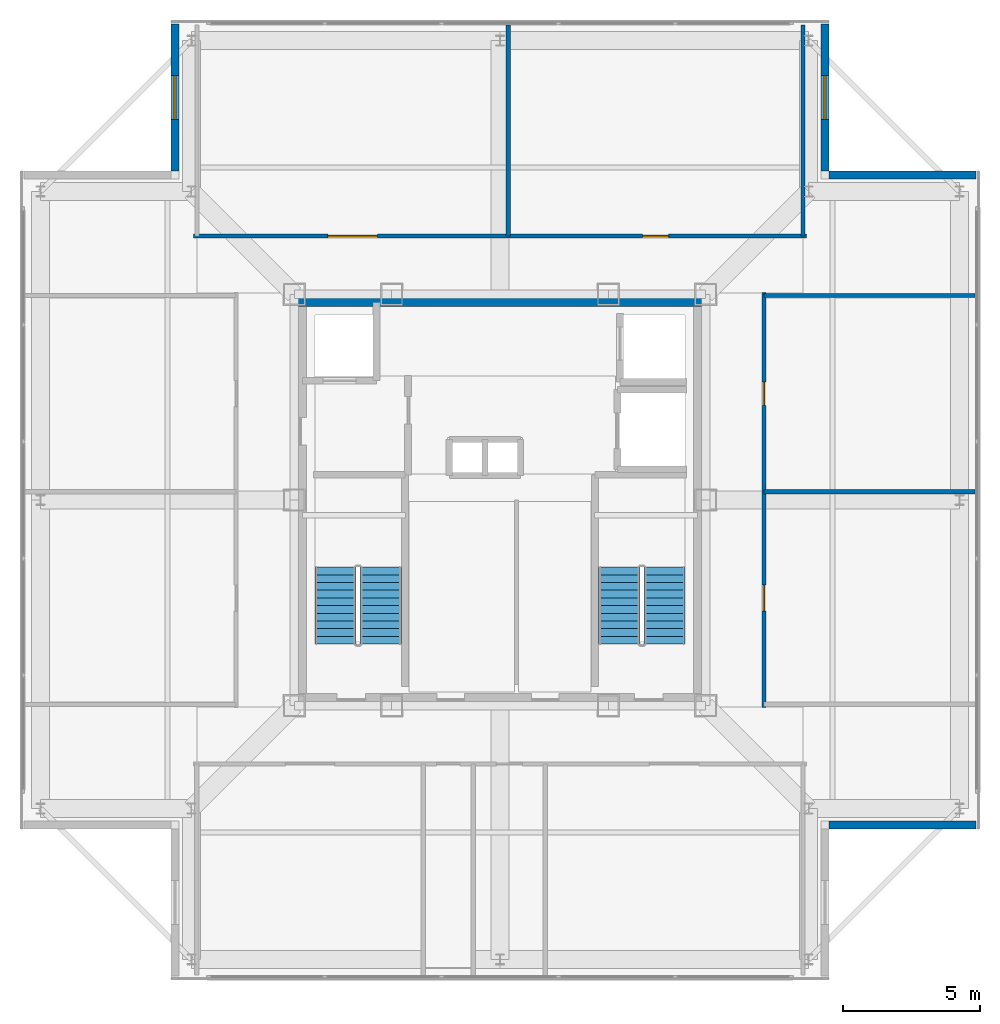
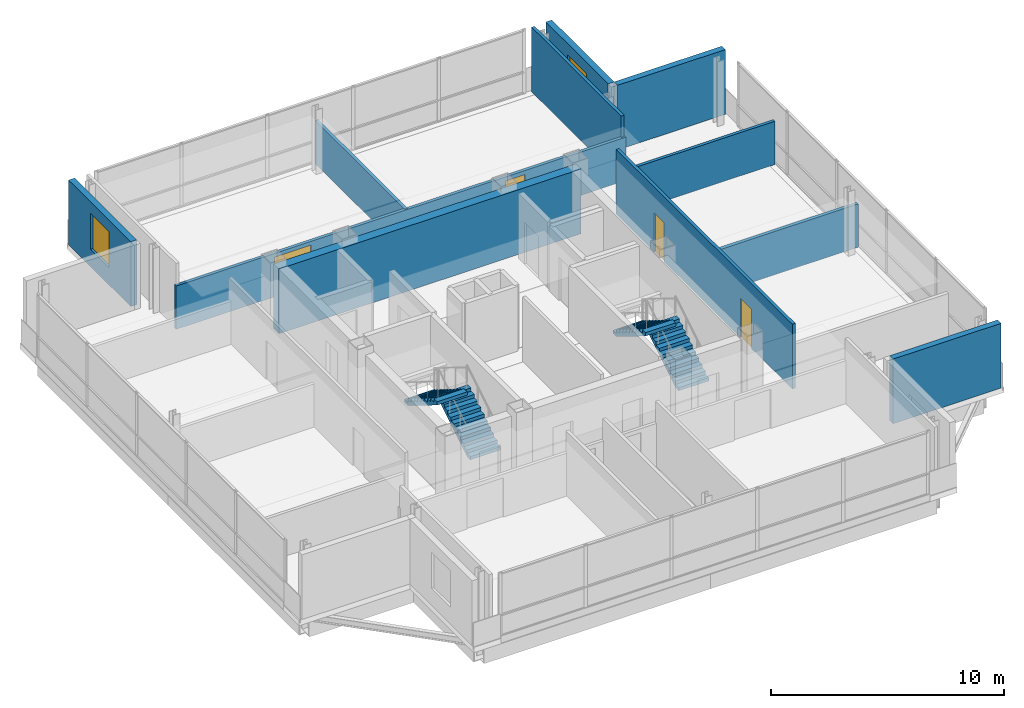
# One storey, part 10 of 12: 11 walls, 4 doors, 4 stair flights, 2 windows, 6 openings, 2 elements without a shape of their own.
"""IFC4 building model written with IfcOpenShell, lengths in metres."""

from ifc_helpers import new_model, si_unit, direction, frame, frame_2d, origin, place, context, subcontext, project, spatial, polyline, rectangle, outline, extrude, material, layer, layer_set, type_object, element, fill, aggregate, save


model = new_model("IFC4")

# Units and contexts
model_context = context("Model", 3, precision=1e-05, world=origin(), true_north=direction((0.0, 1.0)))
body_context = subcontext(model_context, "Body", "Model", "MODEL_VIEW")
ifc_project = project(units=[si_unit("LENGTHUNIT", "METRE"), si_unit("AREAUNIT", "SQUARE_METRE"), si_unit("VOLUMEUNIT", "CUBIC_METRE"), si_unit("PLANEANGLEUNIT", "RADIAN"), si_unit("MASSUNIT", "GRAM", prefix="KILO")], contexts=[model_context])

# Site, building, storey
site_placement = place(None, origin())
site = spatial("IfcSite", under=ifc_project, at=site_placement, CompositionType="ELEMENT")
building_placement = place(site_placement, origin())
building = spatial("IfcBuilding", under=site, at=building_placement, Name="Trevonay Congress Spire", CompositionType="ELEMENT")
storey_placement = place(building_placement, frame((0.0, 0.0, 304.60009765625)))
storey = spatial("IfcBuildingStorey", under=building, at=storey_placement, Name="L80", CompositionType="ELEMENT", Elevation=304.60009765625)

# Wall
ifc_material_1 = material(Name="Concrete C50/60", Category="concrete")
ifc_layer_1 = layer(ifc_material_1, 0.449951171875, Name="Concrete C50/60")
ifc_layer_set_1 = layer_set([ifc_layer_1], Name="Concrete C50/60")
wall_type_1 = type_object("IfcWallType", Name="WAL-CORE-450", PredefinedType="SHEAR", material=ifc_layer_set_1)
wall_1_placement = place(storey_placement, frame((-7.5, 7.27490234375, 0.0), z_axis=(0.0, 0.0, 1.0), x_axis=(1.0, 0.0, 0.0)))
element("IfcWall", 1, at=wall_1_placement, inside=storey, type_object=wall_type_1, Name="L80 North structural core shear wall", PredefinedType="SHEAR", context=body_context, shape_type="SweptSolid", body=[
    extrude(rectangle(XDim=15.0, YDim=0.449951171875, at=frame_2d((7.5, 0.0))), origin(), (0.0, 0.0, 1.0), 3.39990234375),
])

# Wall, openings, doors
ifc_material_2 = material(Name="Concrete C40/50", Category="concrete")
ifc_layer_2 = layer(ifc_material_2, 0.14990234375, Name="Concrete C40/50")
ifc_layer_set_2 = layer_set([ifc_layer_2], Name="Concrete C40/50")
wall_type_2 = type_object("IfcWallType", Name="WAL-CORR-150", PredefinedType="PARTITIONING", material=ifc_layer_set_2)
wall_2_placement = place(storey_placement, frame((-11.169921875, 9.6201171875, 0.0), z_axis=(0.0, 0.0, 1.0), x_axis=(1.0, 0.0, 0.0)))
wall_2 = element("IfcWall", 2, at=wall_2_placement, inside=storey, type_object=wall_type_2, Name="L80 interior wall WP-L80N-COR", PredefinedType="PARTITIONING", context=body_context, shape_type="SweptSolid", body=[
    extrude(rectangle(XDim=22.33984375, YDim=0.14990234375, at=frame_2d((11.169921875, 0.0))), origin(), (0.0, 0.0, 1.0), 2.27490234375),
])
opening_1_placement = place(wall_2_placement, frame((4.89501953125, 0.0, 0.0)))
opening_1 = element("IfcOpeningElement", 3, at=opening_1_placement, cuts=wall_2, Name="Opening D09", PredefinedType="OPENING", context=body_context, shape_type="SweptSolid", body=[
    extrude(rectangle(XDim=1.800048828125, YDim=2.080078125, at=frame_2d((0.89990234375, 1.0400390625))), frame((0.0, 0.0849609375, 0.0), z_axis=(0.0, -1.0, 0.0), x_axis=(1.0, 0.0, 0.0)), (0.0, 0.0, 1.0), 0.169921875),
])
opening_2_placement = place(wall_2_placement, frame((16.3701171875, 0.0, 0.0)))
opening_2 = element("IfcOpeningElement", 4, at=opening_2_placement, cuts=wall_2, Name="Opening D07", PredefinedType="OPENING", context=body_context, shape_type="SweptSolid", body=[
    extrude(rectangle(XDim=0.949951171875, YDim=2.06005859375, at=frame_2d((0.47509765625, 1.030029296875))), frame((0.0, 0.0849609375, 0.0), z_axis=(0.0, -1.0, 0.0), x_axis=(1.0, 0.0, 0.0)), (0.0, 0.0, 1.0), 0.169921875),
])
ifc_material_3 = material(Name="Pale Anodised Aluminium EN AW-6063-T6", Category="aluminium")
door_type_1 = type_object("IfcDoorType", Name="DOR-CONF-DBL", OperationType="DOUBLE_DOOR_SINGLE_SWING", PredefinedType="DOOR", material=ifc_material_3)
door_1_placement = place(opening_1_placement, origin())
door_1 = element("IfcDoor", 5, at=door_1_placement, inside=storey, type_object=door_type_1, Name="L80 Sky Horizon Viewing Gallery Door", OperationType="DOUBLE_DOOR_SINGLE_SWING", OverallHeight=2.080078125, OverallWidth=1.800048828125, PredefinedType="DOOR", context=body_context, shape_type="SweptSolid", body=[
    extrude(rectangle(XDim=1.800048828125, YDim=2.080078125, at=frame_2d((0.89990234375, 1.0400390625))), frame((0.0, 0.02490234375, 0.0), z_axis=(0.0, -1.0, 0.0), x_axis=(1.0, 0.0, 0.0)), (0.0, 0.0, 1.0), 0.050048828125),
])
fill(opening_1, door_1)
door_type_2 = type_object("IfcDoorType", Name="DOR-OFFICE-95", OperationType="NOTDEFINED", PredefinedType="DOOR", material=ifc_material_3)
door_2_placement = place(opening_2_placement, origin())
door_2 = element("IfcDoor", 6, at=door_2_placement, inside=storey, type_object=door_type_2, Name="L80 Observatory Server Room Door", OperationType="SINGLE_SWING_RIGHT", OverallHeight=2.06005859375, OverallWidth=0.949951171875, PredefinedType="DOOR", context=body_context, shape_type="SweptSolid", body=[
    extrude(rectangle(XDim=0.949951171875, YDim=2.06005859375, at=frame_2d((0.47509765625, 1.030029296875))), frame((0.0, 0.02490234375, 0.0), z_axis=(0.0, -1.0, 0.0), x_axis=(1.0, 0.0, 0.0)), (0.0, 0.0, 1.0), 0.050048828125),
])
fill(opening_2, door_2)

wall_3_placement = place(storey_placement, frame((9.6201171875, -7.570068359375, 0.0), z_axis=(0.0, 0.0, 1.0), x_axis=(0.0, 1.0, 0.0)))
wall_3 = element("IfcWall", 7, at=wall_3_placement, inside=storey, type_object=wall_type_2, Name="L80 interior wall WP-L80E-COR", PredefinedType="PARTITIONING", context=body_context, shape_type="SweptSolid", body=[
    extrude(rectangle(XDim=15.14013671875, YDim=0.14990234375, at=frame_2d((7.570068359375, 0.0))), origin(), (0.0, 0.0, 1.0), 3.39990234375),
])
opening_3_placement = place(wall_3_placement, frame((3.52001953125, 0.0, 0.0)))
opening_3 = element("IfcOpeningElement", 8, at=opening_3_placement, cuts=wall_3, Name="Opening D07", PredefinedType="OPENING", context=body_context, shape_type="SweptSolid", body=[
    extrude(rectangle(XDim=0.949951171875, YDim=2.06005859375, at=frame_2d((0.47509765625, 1.030029296875))), frame((0.0, 0.0849609375, 0.0), z_axis=(0.0, -1.0, 0.0), x_axis=(1.0, 0.0, 0.0)), (0.0, 0.0, 1.0), 0.169921875),
])
opening_4_placement = place(wall_3_placement, frame((11.02001953125, 0.0, 0.0)))
opening_4 = element("IfcOpeningElement", 9, at=opening_4_placement, cuts=wall_3, Name="Opening D10", PredefinedType="OPENING", context=body_context, shape_type="SweptSolid", body=[
    extrude(rectangle(XDim=0.85009765625, YDim=2.050048828125, at=frame_2d((0.425048828125, 1.02490234375))), frame((0.0, 0.0849609375, 0.0), z_axis=(0.0, -1.0, 0.0), x_axis=(1.0, 0.0, 0.0)), (0.0, 0.0, 1.0), 0.169921875),
])
door_3_placement = place(opening_3_placement, origin())
door_3 = element("IfcDoor", 10, at=door_3_placement, inside=storey, type_object=door_type_2, Name="L80 Private Observatory Dining Room Door", OperationType="SINGLE_SWING_LEFT", OverallHeight=2.06005859375, OverallWidth=0.949951171875, PredefinedType="DOOR", context=body_context, shape_type="SweptSolid", body=[
    extrude(rectangle(XDim=0.949951171875, YDim=2.06005859375, at=frame_2d((0.47509765625, 1.030029296875))), frame((0.0, 0.02490234375, 0.0), z_axis=(0.0, -1.0, 0.0), x_axis=(1.0, 0.0, 0.0)), (0.0, 0.0, 1.0), 0.050048828125),
])
fill(opening_3, door_3)
door_type_3 = type_object("IfcDoorType", Name="DOR-WC-85", OperationType="NOTDEFINED", PredefinedType="DOOR", material=ifc_material_3)
door_4_placement = place(opening_4_placement, origin())
door_4 = element("IfcDoor", 11, at=door_4_placement, inside=storey, type_object=door_type_3, Name="L80 Female Restroom WC Door", OperationType="SINGLE_SWING_RIGHT", OverallHeight=2.050048828125, OverallWidth=0.85009765625, PredefinedType="DOOR", context=body_context, shape_type="SweptSolid", body=[
    extrude(rectangle(XDim=0.85009765625, YDim=2.050048828125, at=frame_2d((0.425048828125, 1.02490234375))), frame((0.0, 0.02490234375, 0.0), z_axis=(0.0, -1.0, 0.0), x_axis=(1.0, 0.0, 0.0)), (0.0, 0.0, 1.0), 0.050048828125),
])
fill(opening_4, door_4)

# Wall
ifc_material_4 = material(Name="Precast concrete C40/50", Category="concrete")
ifc_layer_3 = layer(ifc_material_4, 0.300048828125, Name="Precast concrete C40/50")
ifc_layer_set_3 = layer_set([ifc_layer_3], Name="Precast concrete C40/50")
wall_type_3 = type_object("IfcWallType", Name="WAL-EXT-PRECAST-300", PredefinedType="SOLIDWALL", material=ifc_layer_set_3)
wall_4_placement = place(storey_placement, frame((17.35009765625, -11.85009765625, 0.0), z_axis=(0.0, 0.0, 1.0), x_axis=(-1.0, 0.0, 0.0)))
element("IfcWall", 12, at=wall_4_placement, inside=storey, type_object=wall_type_3, Name="L80 SE re-entrant notch exterior wall 2", PredefinedType="SOLIDWALL", context=body_context, shape_type="SweptSolid", body=[
    extrude(rectangle(XDim=5.35009765625, YDim=0.300048828125, at=frame_2d((2.675048828125, 0.0))), origin(), (0.0, 0.0, 1.0), 3.39990234375),
])

# Wall, opening, window
wall_5_placement = place(storey_placement, frame((11.85009765625, 17.35009765625, 0.0), z_axis=(0.0, 0.0, 1.0), x_axis=(0.0, -1.0, 0.0)))
wall_5 = element("IfcWall", 13, at=wall_5_placement, inside=storey, type_object=wall_type_3, Name="L80 NE re-entrant notch exterior wall 1", PredefinedType="SOLIDWALL", context=body_context, shape_type="SweptSolid", body=[
    extrude(rectangle(XDim=5.35009765625, YDim=0.300048828125, at=frame_2d((2.675048828125, 0.0))), origin(), (0.0, 0.0, 1.0), 3.39990234375),
])
opening_5_placement = place(wall_5_placement, frame((1.875, 0.0, 0.89990234375)))
opening_5 = element("IfcOpeningElement", 14, at=opening_5_placement, cuts=wall_5, Name="Opening WN04", PredefinedType="OPENING", context=body_context, shape_type="SweptSolid", body=[
    extrude(rectangle(XDim=1.60009765625, YDim=1.89990234375, at=frame_2d((0.800048828125, 0.949951171875))), frame((0.0, 0.16015625, 0.0), z_axis=(0.0, -1.0, 0.0), x_axis=(1.0, 0.0, 0.0)), (0.0, 0.0, 1.0), 0.320068359375),
])
ifc_material_5 = material(Name="Insulated Low-E Vision Glass IGU", Category="glass")
window_type = type_object("IfcWindowType", Name="WIN-CROWN-160X190", PartitioningType="SINGLE_PANEL", PredefinedType="WINDOW", material=ifc_material_5)
window_1_placement = place(opening_5_placement, origin())
window_1 = element("IfcWindow", 15, at=window_1_placement, inside=storey, type_object=window_type, Name="L80 NE corner notch window", OverallHeight=1.89990234375, OverallWidth=1.60009765625, PartitioningType="SINGLE_PANEL", PredefinedType="WINDOW", context=body_context, shape_type="SweptSolid", body=[
    extrude(rectangle(XDim=1.60009765625, YDim=1.89990234375, at=frame_2d((0.800048828125, 0.949951171875))), frame((0.0, 0.030029296875, 0.0), z_axis=(0.0, -1.0, 0.0), x_axis=(1.0, 0.0, 0.0)), (0.0, 0.0, 1.0), 0.06005859375),
])
fill(opening_5, window_1)

# Wall
wall_6_placement = place(storey_placement, frame((17.35009765625, 11.85009765625, 0.0), z_axis=(0.0, 0.0, 1.0), x_axis=(-1.0, 0.0, 0.0)))
element("IfcWall", 16, at=wall_6_placement, inside=storey, type_object=wall_type_3, Name="L80 NE re-entrant notch exterior wall 2", PredefinedType="SOLIDWALL", context=body_context, shape_type="SweptSolid", body=[
    extrude(rectangle(XDim=5.35009765625, YDim=0.300048828125, at=frame_2d((2.675048828125, 0.0))), origin(), (0.0, 0.0, 1.0), 3.39990234375),
])

# Wall, opening, window
wall_7_placement = place(storey_placement, frame((-11.85009765625, 17.35009765625, 0.0), z_axis=(0.0, 0.0, 1.0), x_axis=(0.0, -1.0, 0.0)))
wall_7 = element("IfcWall", 17, at=wall_7_placement, inside=storey, type_object=wall_type_3, Name="L80 NW re-entrant notch exterior wall 1", PredefinedType="SOLIDWALL", context=body_context, shape_type="SweptSolid", body=[
    extrude(rectangle(XDim=5.35009765625, YDim=0.300048828125, at=frame_2d((2.675048828125, 0.0))), origin(), (0.0, 0.0, 1.0), 3.39990234375),
])
opening_6_placement = place(wall_7_placement, frame((1.875, 0.0, 0.89990234375)))
opening_6 = element("IfcOpeningElement", 18, at=opening_6_placement, cuts=wall_7, Name="Opening WN04", PredefinedType="OPENING", context=body_context, shape_type="SweptSolid", body=[
    extrude(rectangle(XDim=1.60009765625, YDim=1.89990234375, at=frame_2d((0.800048828125, 0.949951171875))), frame((0.0, 0.16015625, 0.0), z_axis=(0.0, -1.0, 0.0), x_axis=(1.0, 0.0, 0.0)), (0.0, 0.0, 1.0), 0.320068359375),
])
window_2_placement = place(opening_6_placement, origin())
window_2 = element("IfcWindow", 19, at=window_2_placement, inside=storey, type_object=window_type, Name="L80 NW corner notch window", OverallHeight=1.89990234375, OverallWidth=1.60009765625, PartitioningType="SINGLE_PANEL", PredefinedType="WINDOW", context=body_context, shape_type="SweptSolid", body=[
    extrude(rectangle(XDim=1.60009765625, YDim=1.89990234375, at=frame_2d((0.800048828125, 0.949951171875))), frame((0.0, 0.030029296875, 0.0), z_axis=(0.0, -1.0, 0.0), x_axis=(1.0, 0.0, 0.0)), (0.0, 0.0, 1.0), 0.06005859375),
])
fill(opening_6, window_2)

# Walls
ifc_layer_4 = layer(ifc_material_2, 0.14990234375, Name="Concrete C40/50")
ifc_layer_set_4 = layer_set([ifc_layer_4], Name="Concrete C40/50")
wall_type_4 = type_object("IfcWallType", Name="WAL-PART-150", PredefinedType="PARTITIONING", material=ifc_layer_set_4)
wall_8_placement = place(storey_placement, frame((0.300048828125, 9.6201171875, 0.0), z_axis=(0.0, 0.0, 1.0), x_axis=(0.0, 1.0, 0.0)))
element("IfcWall", 20, at=wall_8_placement, inside=storey, type_object=wall_type_4, Name="L80 interior wall WP-L80N-DIV2", PredefinedType="PARTITIONING", context=body_context, shape_type="SweptSolid", body=[
    extrude(rectangle(XDim=7.699951171875, YDim=0.14990234375, at=frame_2d((3.85009765625, 0.0))), origin(), (0.0, 0.0, 1.0), 2.27490234375),
])
wall_9_placement = place(storey_placement, frame((11.050048828125, 9.6201171875, 0.0), z_axis=(0.0, 0.0, 1.0), x_axis=(0.0, 1.0, 0.0)))
element("IfcWall", 21, at=wall_9_placement, inside=storey, type_object=wall_type_4, Name="L80 interior wall WP-L80N-DIV3", PredefinedType="PARTITIONING", context=body_context, shape_type="SweptSolid", body=[
    extrude(rectangle(XDim=7.699951171875, YDim=0.14990234375, at=frame_2d((3.85009765625, 0.0))), origin(), (0.0, 0.0, 1.0), 3.39990234375),
])
wall_10_placement = place(storey_placement, frame((9.6201171875, 7.449951171875, 0.0), z_axis=(0.0, 0.0, 1.0), x_axis=(1.0, 0.0, 0.0)))
element("IfcWall", 22, at=wall_10_placement, inside=storey, type_object=wall_type_4, Name="L80 interior wall WP-L80E-DIV3", PredefinedType="PARTITIONING", context=body_context, shape_type="SweptSolid", body=[
    extrude(rectangle(XDim=7.699951171875, YDim=0.14990234375, at=frame_2d((3.85009765625, 0.0))), origin(), (0.0, 0.0, 1.0), 2.27490234375),
])
ifc_layer_5 = layer(ifc_material_2, 0.1650390625, Name="Concrete C40/50")
ifc_layer_set_5 = layer_set([ifc_layer_5], Name="Concrete C40/50")
wall_type_5 = type_object("IfcWallType", Name="WAL-WET-165", PredefinedType="PLUMBINGWALL", material=ifc_layer_set_5)
wall_11_placement = place(storey_placement, frame((9.6201171875, 0.300048828125, 0.0), z_axis=(0.0, 0.0, 1.0), x_axis=(1.0, 0.0, 0.0)))
element("IfcWall", 23, at=wall_11_placement, inside=storey, type_object=wall_type_5, Name="L80 interior wall WP-L80E-DIV2", PredefinedType="PLUMBINGWALL", context=body_context, shape_type="SweptSolid", body=[
    extrude(rectangle(XDim=7.699951171875, YDim=0.1650390625, at=frame_2d((3.85009765625, 0.0))), origin(), (0.0, 0.0, 1.0), 2.27490234375),
])

# Stair, stair flights
stair_type_1 = type_object("IfcStairType", Name="STR-ST-1", PredefinedType="HALF_TURN_STAIR", material=ifc_material_2)
stair_1_placement = place(storey_placement, origin())
stair_1 = element("IfcStair", 24, at=stair_1_placement, inside=storey, type_object=stair_type_1, Name="L80 Protected Exit Stair ST-1", PredefinedType="HALF_TURN_STAIR")
stair_flight_type_1 = type_object("IfcStairFlightType", Name="SFL-ST-1", PredefinedType="STRAIGHT", material=ifc_material_2)
stair_flight_1_placement = place(storey_placement, frame((-4.35009765625, -5.25, 0.0), z_axis=(0.0, 0.0, 1.0), x_axis=(0.0, 1.0, 0.0)))
stair_flight_1 = element("IfcStairFlight", 25, at=stair_flight_1_placement, type_object=stair_flight_type_1, Name="ST-1 flight 1", NumberOfRisers=11, NumberOfTreads=10, PredefinedType="STRAIGHT", RiserHeight=0.172727273, TreadLength=0.28, context=body_context, shape_type="SweptSolid", body=[
    extrude(outline(polyline([(0.0, 0.0), (0.0, 0.172607421875), (0.280029296875, 0.172607421875), (0.280029296875, 0.345458984375), (0.56005859375, 0.345458984375), (0.56005859375, 0.51806640625), (0.840087890625, 0.51806640625), (0.840087890625, 0.69091796875), (1.1201171875, 0.69091796875), (1.1201171875, 0.863525390625), (1.39990234375, 0.863525390625), (1.39990234375, 1.036376953125), (1.679931640625, 1.036376953125), (1.679931640625, 1.208984375), (1.9599609375, 1.208984375), (1.9599609375, 1.3818359375), (2.239990234375, 1.3818359375), (2.239990234375, 1.554443359375), (2.52001953125, 1.554443359375), (2.52001953125, 1.727294921875), (2.800048828125, 1.727294921875), (2.800048828125, 1.89990234375), (2.800048828125, 1.551025390625), (0.285400390625, 0.0), (0.0, 0.0)])), frame((0.0, 0.75, 0.0), z_axis=(0.0, -1.0, 0.0), x_axis=(1.0, 0.0, 0.0)), (0.0, 0.0, 1.0), 1.5),
])
stair_flight_2_placement = place(storey_placement, frame((-6.0, -2.449951171875, 1.89990234375), z_axis=(0.0, 0.0, 1.0), x_axis=(0.0, -1.0, 0.0)))
stair_flight_2 = element("IfcStairFlight", 26, at=stair_flight_2_placement, type_object=stair_flight_type_1, Name="ST-1 flight 2", NumberOfRisers=11, NumberOfTreads=10, PredefinedType="STRAIGHT", RiserHeight=0.172727273, TreadLength=0.28, context=body_context, shape_type="SweptSolid", body=[
    extrude(outline(polyline([(0.0, 0.0), (0.0, 0.172607421875), (0.280029296875, 0.172607421875), (0.280029296875, 0.345458984375), (0.56005859375, 0.345458984375), (0.56005859375, 0.51806640625), (0.840087890625, 0.51806640625), (0.840087890625, 0.69091796875), (1.1201171875, 0.69091796875), (1.1201171875, 0.863525390625), (1.39990234375, 0.863525390625), (1.39990234375, 1.036376953125), (1.679931640625, 1.036376953125), (1.679931640625, 1.208984375), (1.9599609375, 1.208984375), (1.9599609375, 1.3818359375), (2.239990234375, 1.3818359375), (2.239990234375, 1.554443359375), (2.52001953125, 1.554443359375), (2.52001953125, 1.727294921875), (2.800048828125, 1.727294921875), (2.800048828125, 1.89990234375), (2.800048828125, 1.551025390625), (0.285400390625, 0.0), (0.0, 0.0)])), frame((0.0, 0.75, 0.0), z_axis=(0.0, -1.0, 0.0), x_axis=(1.0, 0.0, 0.0)), (0.0, 0.0, 1.0), 1.5),
])
aggregate(stair_1, [stair_flight_1, stair_flight_2])

stair_type_2 = type_object("IfcStairType", Name="STR-ST-2", PredefinedType="HALF_TURN_STAIR", material=ifc_material_2)
stair_2_placement = place(storey_placement, origin())
stair_2 = element("IfcStair", 27, at=stair_2_placement, inside=storey, type_object=stair_type_2, Name="L80 Protected Exit Stair ST-2", PredefinedType="HALF_TURN_STAIR")
stair_flight_type_2 = type_object("IfcStairFlightType", Name="SFL-ST-2", PredefinedType="STRAIGHT", material=ifc_material_2)
stair_flight_3_placement = place(storey_placement, frame((6.0, -5.25, 0.0), z_axis=(0.0, 0.0, 1.0), x_axis=(0.0, 1.0, 0.0)))
stair_flight_3 = element("IfcStairFlight", 28, at=stair_flight_3_placement, type_object=stair_flight_type_2, Name="ST-2 flight 1", NumberOfRisers=11, NumberOfTreads=10, PredefinedType="STRAIGHT", RiserHeight=0.172727273, TreadLength=0.28, context=body_context, shape_type="SweptSolid", body=[
    extrude(outline(polyline([(0.0, 0.0), (0.0, 0.172607421875), (0.280029296875, 0.172607421875), (0.280029296875, 0.345458984375), (0.56005859375, 0.345458984375), (0.56005859375, 0.51806640625), (0.840087890625, 0.51806640625), (0.840087890625, 0.69091796875), (1.1201171875, 0.69091796875), (1.1201171875, 0.863525390625), (1.39990234375, 0.863525390625), (1.39990234375, 1.036376953125), (1.679931640625, 1.036376953125), (1.679931640625, 1.208984375), (1.9599609375, 1.208984375), (1.9599609375, 1.3818359375), (2.239990234375, 1.3818359375), (2.239990234375, 1.554443359375), (2.52001953125, 1.554443359375), (2.52001953125, 1.727294921875), (2.800048828125, 1.727294921875), (2.800048828125, 1.89990234375), (2.800048828125, 1.551025390625), (0.285400390625, 0.0), (0.0, 0.0)])), frame((0.0, 0.75, 0.0), z_axis=(0.0, -1.0, 0.0), x_axis=(1.0, 0.0, 0.0)), (0.0, 0.0, 1.0), 1.5),
])
stair_flight_4_placement = place(storey_placement, frame((4.35009765625, -2.449951171875, 1.89990234375), z_axis=(0.0, 0.0, 1.0), x_axis=(0.0, -1.0, 0.0)))
stair_flight_4 = element("IfcStairFlight", 29, at=stair_flight_4_placement, type_object=stair_flight_type_2, Name="ST-2 flight 2", NumberOfRisers=11, NumberOfTreads=10, PredefinedType="STRAIGHT", RiserHeight=0.172727273, TreadLength=0.28, context=body_context, shape_type="SweptSolid", body=[
    extrude(outline(polyline([(0.0, 0.0), (0.0, 0.172607421875), (0.280029296875, 0.172607421875), (0.280029296875, 0.345458984375), (0.56005859375, 0.345458984375), (0.56005859375, 0.51806640625), (0.840087890625, 0.51806640625), (0.840087890625, 0.69091796875), (1.1201171875, 0.69091796875), (1.1201171875, 0.863525390625), (1.39990234375, 0.863525390625), (1.39990234375, 1.036376953125), (1.679931640625, 1.036376953125), (1.679931640625, 1.208984375), (1.9599609375, 1.208984375), (1.9599609375, 1.3818359375), (2.239990234375, 1.3818359375), (2.239990234375, 1.554443359375), (2.52001953125, 1.554443359375), (2.52001953125, 1.727294921875), (2.800048828125, 1.727294921875), (2.800048828125, 1.89990234375), (2.800048828125, 1.551025390625), (0.285400390625, 0.0), (0.0, 0.0)])), frame((0.0, 0.75, 0.0), z_axis=(0.0, -1.0, 0.0), x_axis=(1.0, 0.0, 0.0)), (0.0, 0.0, 1.0), 1.5),
])
aggregate(stair_2, [stair_flight_3, stair_flight_4])

save(model, "model.ifc")
